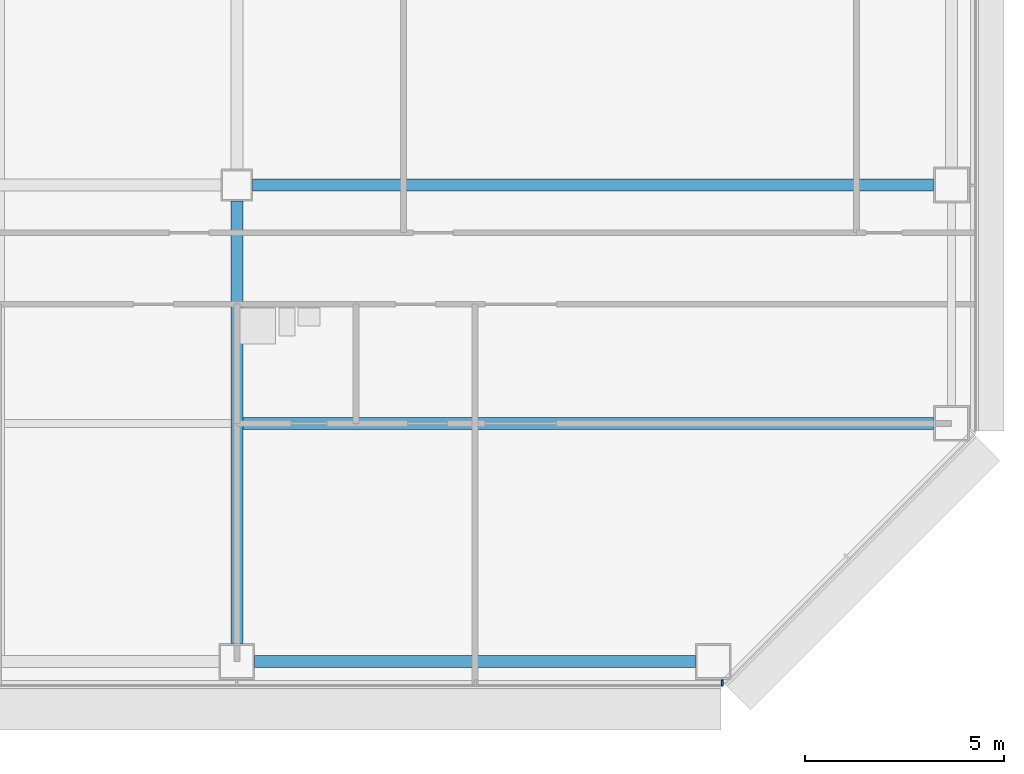
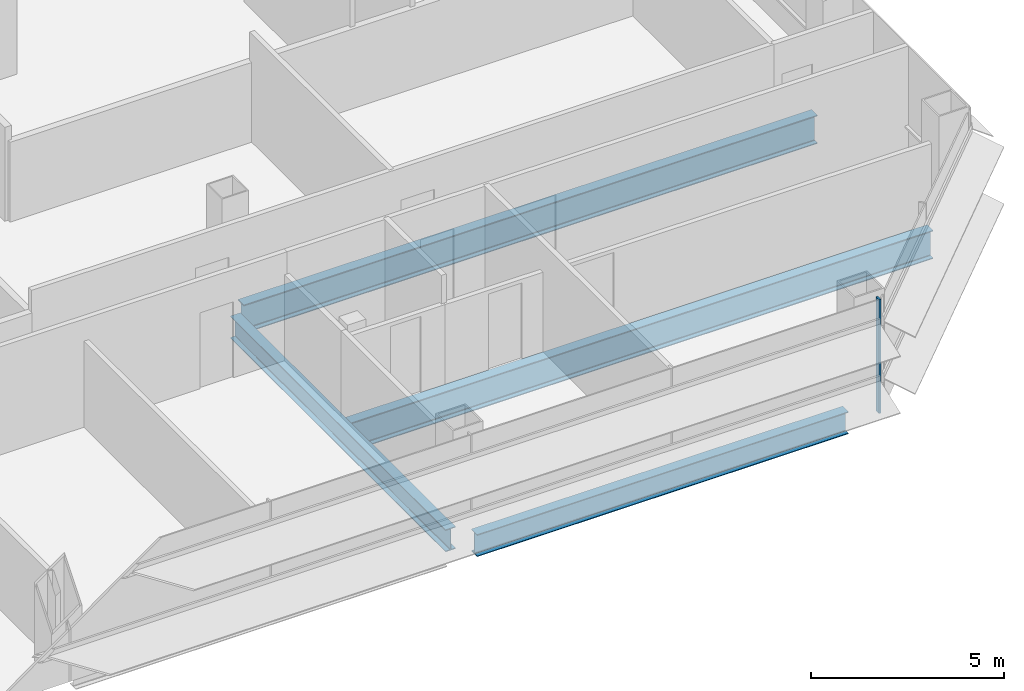
# One storey, part 9 of 27: 4 beams, 1 member, 1 element without a shape of its own.
"""IFC4 building model written with IfcOpenShell, lengths in metres."""

from ifc_helpers import new_model, si_unit, direction, frame, origin, origin_2d, place, context, subcontext, project, spatial, rectangle, i_section, extrude, material, material_profile, profile_set, type_object, element, aggregate, save


model = new_model("IFC4")

# Units and contexts
model_context = context("Model", 3, precision=1e-05, world=origin(), true_north=direction((0.0, 1.0)))
body_context = subcontext(model_context, "Body", "Model", "MODEL_VIEW")
ifc_project = project(units=[si_unit("LENGTHUNIT", "METRE"), si_unit("AREAUNIT", "SQUARE_METRE"), si_unit("VOLUMEUNIT", "CUBIC_METRE"), si_unit("PLANEANGLEUNIT", "RADIAN"), si_unit("MASSUNIT", "GRAM", prefix="KILO")], contexts=[model_context])

# Site, building, storey
site_placement = place(None, origin())
site = spatial("IfcSite", under=ifc_project, at=site_placement, CompositionType="ELEMENT")
building_placement = place(site_placement, origin())
building = spatial("IfcBuilding", under=site, at=building_placement, Name="Sorahane Residences", CompositionType="ELEMENT")
storey_placement = place(building_placement, frame((0.0, 0.0, 75.0)))
storey = spatial("IfcBuildingStorey", under=building, at=storey_placement, Name="L15", CompositionType="ELEMENT", Elevation=75.0)

# Curtain wall, member
ifc_material_1 = material(Name="Dark low-e glass and black anodised aluminium", Category="aluminium")
curtain_wall_type = type_object("IfcCurtainWallType", Name="Curtain wall CW-1 Typical unitised wall", PredefinedType="NOTDEFINED", material=ifc_material_1)
curtain_wall_placement = place(storey_placement, origin())
curtain_wall = element("IfcCurtainWall", 1, at=curtain_wall_placement, inside=storey, type_object=curtain_wall_type, Name="CW-1 curtain wall L15 S1", PredefinedType="NOTDEFINED")
ifc_material_2 = material(Name="Black anodised aluminium", Category="aluminium")
ifc_material_profile_1 = material_profile(ifc_material_2, rectangle(XDim=0.159912109375, YDim=0.050048828125, at=origin_2d()), Name="Curtain wall mullion CW-1 black anodised aluminium 50x160")
ifc_profile_set_1 = profile_set([ifc_material_profile_1], Name="Black anodised aluminium")
member_type = type_object("IfcMemberType", Name="Curtain wall mullion CW-1 black anodised aluminium 50x160", PredefinedType="MULLION", material=ifc_profile_set_1)
member_placement = place(storey_placement, frame((60.2236328125, -0.5400390625, -0.179931640625), z_axis=(0.0, 0.0, 1.0), x_axis=(0.0, -1.0, 0.0)))
member = element("IfcMember", 2, at=member_placement, type_object=member_type, Name="CW-1 mullion L15 S1.10", PredefinedType="MULLION", context=body_context, shape_type="SweptSolid", body=[
    extrude(rectangle(XDim=0.159912109375, YDim=0.050048828125, at=origin_2d()), origin(), (0.0, 0.0, 1.0), 3.599853515625),
])
aggregate(curtain_wall, [member])

# Beams
ifc_material_3 = material(Name="Steel Q355B", Category="steel")
ifc_material_profile_2 = material_profile(ifc_material_3, i_section(OverallWidth=0.300048828125, OverallDepth=0.699951171875, WebThickness=0.012939453125, FlangeThickness=0.02392578125, FilletRadius=0.028076171875, at=origin_2d()), Name="HN 700x300x13x24")
ifc_profile_set_2 = profile_set([ifc_material_profile_2], Name="Steel Q355B")
beam_type_1 = type_object("IfcBeamType", Name="Steel floor beam HN 700x300x13x24 Q355B", PredefinedType="BEAM", material=ifc_profile_set_2)
beam_1_placement = place(storey_placement, frame((48.449951171875, 0.0, -0.530029296875), z_axis=(1.0, 0.0, 0.0), x_axis=(0.0, 1.0, 0.0)))
element("IfcBeam", 3, at=beam_1_placement, inside=storey, type_object=beam_type_1, Name="Beam L15 004", PredefinedType="BEAM", context=body_context, shape_type="SweptSolid", body=[
    extrude(i_section(OverallWidth=0.300048828125, OverallDepth=0.699951171875, WebThickness=0.012939453125, FlangeThickness=0.02392578125, FilletRadius=0.028076171875, at=origin_2d()), origin(), (0.0, 0.0, 1.0), 11.10009765625),
])
beam_2_placement = place(storey_placement, frame((48.0, 0.449951171875, -0.530029296875), z_axis=(0.0, 1.0, 0.0), x_axis=(-1.0, 0.0, 0.0)))
element("IfcBeam", 4, at=beam_2_placement, inside=storey, type_object=beam_type_1, Name="Beam L15 051", PredefinedType="BEAM", context=body_context, shape_type="SweptSolid", body=[
    extrude(i_section(OverallWidth=0.300048828125, OverallDepth=0.699951171875, WebThickness=0.012939453125, FlangeThickness=0.02392578125, FilletRadius=0.028076171875, at=origin_2d()), origin(), (0.0, 0.0, 1.0), 11.150146484375),
])
ifc_material_4 = material(Name="Steel Q355B", Category="steel")
ifc_material_profile_3 = material_profile(ifc_material_4, i_section(OverallWidth=0.300048828125, OverallDepth=0.89990234375, WebThickness=0.01611328125, FlangeThickness=0.028076171875, FilletRadius=0.028076171875, at=origin_2d()), Name="HN 900x300x16x28")
ifc_profile_set_3 = profile_set([ifc_material_profile_3], Name="Steel Q355B")
beam_type_2 = type_object("IfcBeamType", Name="Steel floor beam HN 900x300x16x28 Q355B", PredefinedType="BEAM", material=ifc_profile_set_3)
beam_3_placement = place(storey_placement, frame((48.39990234375, 12.0, -0.6298828125), z_axis=(1.0, 0.0, 0.0), x_axis=(0.0, 1.0, 0.0)))
element("IfcBeam", 5, at=beam_3_placement, inside=storey, type_object=beam_type_2, Name="Beam L15 009", PredefinedType="BEAM", context=body_context, shape_type="SweptSolid", body=[
    extrude(i_section(OverallWidth=0.300048828125, OverallDepth=0.89990234375, WebThickness=0.01611328125, FlangeThickness=0.028076171875, FilletRadius=0.028076171875, at=origin_2d()), origin(), (0.0, 0.0, 1.0), 17.150146484375),
])
beam_4_placement = place(storey_placement, frame((48.14990234375, 6.0, -0.6298828125), z_axis=(1.0, 0.0, 0.0), x_axis=(0.0, 1.0, 0.0)))
element("IfcBeam", 6, at=beam_4_placement, inside=storey, type_object=beam_type_2, Name="Beam L15 069", PredefinedType="BEAM", context=body_context, shape_type="SweptSolid", body=[
    extrude(i_section(OverallWidth=0.300048828125, OverallDepth=0.89990234375, WebThickness=0.01611328125, FlangeThickness=0.028076171875, FilletRadius=0.028076171875, at=origin_2d()), origin(), (0.0, 0.0, 1.0), 17.400146484375),
])

save(model, "model.ifc")
